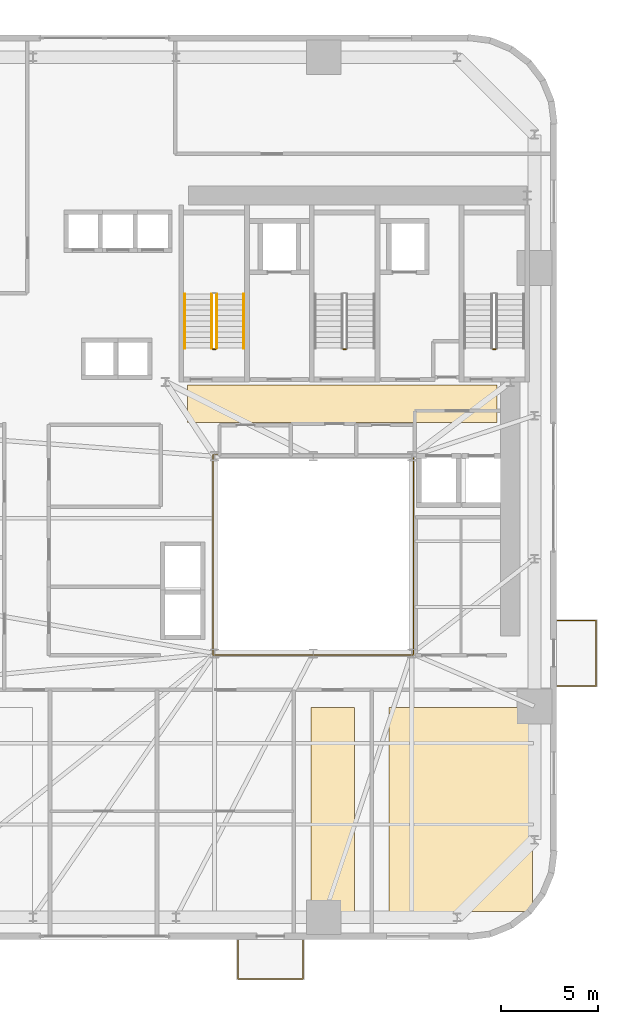
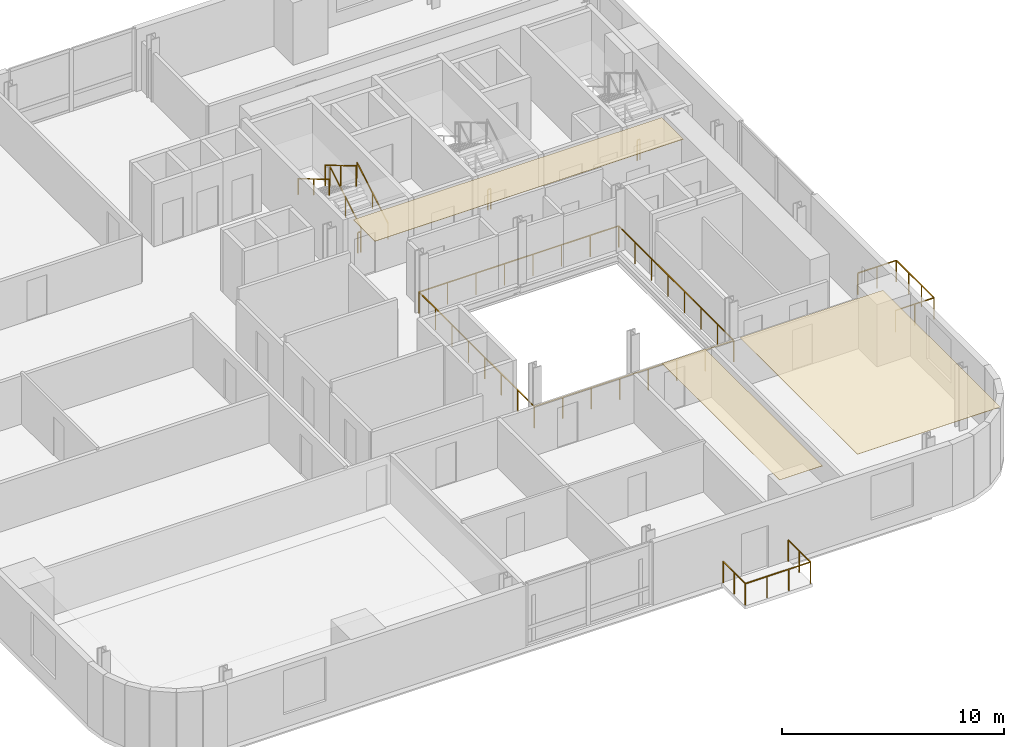
# One storey, part 11 of 13: 10 railings, 3 coverings.
"""IFC4 building model written with IfcOpenShell, lengths in metres."""

import ifcopenshell
import ifcopenshell.guid

model = None  # the IFC model being written
_history = None  # IfcOwnerHistory: only IFC2X3 demands one
_inside = {}  # id of a spatial element -> (the spatial element, [elements in it])
_under = {}  # id of a project, library or spatial element -> (it, [spatial elements below it])
_declared = {}  # id of a project -> (the project, [libraries it declares])
_typed = {}  # id of a type object -> (the type object, [elements of that type])
_made_of = {}  # id of a material, layer set ... -> (it, [elements and type objects made of it])


def new_model(schema):
    """Start an empty IFC model of exactly this schema.

    Asked for "IFC4X3", IfcOpenShell would pick the latest addendum, in which some entities
    have other attributes; the version numbers below select the first issue.
    IFC2X3 requires an IfcOwnerHistory on every rooted entity: one is made here for all.
    """
    global model, _history
    if schema == "IFC4X3":
        model = ifcopenshell.file(schema_version=(4, 3, 0, 0))
    else:
        model = ifcopenshell.file(schema=schema)
    _inside.clear()
    _under.clear()
    _declared.clear()
    _typed.clear()
    _made_of.clear()
    _history = None
    if model.schema == "IFC2X3":
        org = make("IfcOrganization", Name="unknown")
        user = make(
            "IfcPersonAndOrganization",
            ThePerson=make("IfcPerson", FamilyName="unknown"),
            TheOrganization=org,
        )
        app = make(
            "IfcApplication",
            ApplicationDeveloper=org,
            Version="unknown",
            ApplicationFullName="unknown",
            ApplicationIdentifier="unknown",
        )
        _history = make(
            "IfcOwnerHistory",
            OwningUser=user,
            OwningApplication=app,
            ChangeAction="ADDED",
            CreationDate=0,
        )
    return model


def make(cls, **values):
    """One entity of the class cls with the attributes given. An attribute that is None is left unset."""
    return model.create_entity(
        cls, **{name: value for name, value in values.items() if value is not None}
    )


def rooted(cls, **values):
    """An entity with a GlobalId (a new one), such as an element, a storey or a relation."""
    return make(cls, GlobalId=ifcopenshell.guid.new(), OwnerHistory=_history, **values)


def si_unit(unit_type, name, prefix=None):
    """IfcSIUnit, for example si_unit("LENGTHUNIT", "METRE", prefix="MILLI")."""
    return make("IfcSIUnit", UnitType=unit_type, Prefix=prefix, Name=name)


def assignment(units):
    """IfcUnitAssignment: the units of a project."""
    return None if units is None else make("IfcUnitAssignment", Units=units)


def point(xyz):
    """IfcCartesianPoint."""
    return None if xyz is None else make("IfcCartesianPoint", Coordinates=xyz)


def direction(xyz):
    """IfcDirection."""
    return None if xyz is None else make("IfcDirection", DirectionRatios=xyz)


def frame(location, z_axis=None, x_axis=None):
    """IfcAxis2Placement3D, a coordinate frame: its origin and axes. An axis left out is left unset."""
    return make(
        "IfcAxis2Placement3D",
        Location=point(location),
        Axis=direction(z_axis),
        RefDirection=direction(x_axis),
    )


def frame_2d(location, x_axis=None):
    """IfcAxis2Placement2D, a coordinate frame in the plane: its origin and x axis."""
    return make(
        "IfcAxis2Placement2D", Location=point(location), RefDirection=direction(x_axis)
    )


def origin():
    """The frame at (0, 0, 0) with its axes left unset."""
    return frame((0.0, 0.0, 0.0))


def origin_2d():
    """The frame at (0, 0) in the plane with its x axis left unset."""
    return frame_2d((0.0, 0.0))


def place(relative_to, where):
    """IfcLocalPlacement: puts the frame where relative to a parent placement (None: the world)."""
    return make(
        "IfcLocalPlacement", PlacementRelTo=relative_to, RelativePlacement=where
    )


def context(
    kind, dimensions, precision=None, world=None, true_north=None, identifier=None
):
    """IfcGeometricRepresentationContext, for example the 3D "Model" context."""
    return make(
        "IfcGeometricRepresentationContext",
        ContextIdentifier=identifier,
        ContextType=kind,
        CoordinateSpaceDimension=dimensions,
        Precision=precision,
        WorldCoordinateSystem=world,
        TrueNorth=true_north,
    )


def subcontext(parent, identifier, kind, view, scale=None):
    """IfcGeometricRepresentationSubContext, for example "Body" below "Model"."""
    return make(
        "IfcGeometricRepresentationSubContext",
        ContextIdentifier=identifier,
        ContextType=kind,
        ParentContext=parent,
        TargetScale=scale,
        TargetView=view,
    )


def project(units=None, contexts=None):
    """IfcProject with its units and contexts."""
    return rooted(
        "IfcProject",
        Name="project",
        RepresentationContexts=contexts,
        UnitsInContext=assignment(units),
    )


def spatial(cls, under=None, at=None, **own):
    """A site, building, storey or space (cls), placed at a placement, below another one or the project."""
    s = rooted(cls, ObjectPlacement=at, **own)
    if under is not None:
        _under.setdefault(under.id(), (under, []))[1].append(s)
    return s


def polyline(points):
    """IfcPolyline through the points."""
    return make("IfcPolyline", Points=[point(p) for p in points])


def profile(cls, at=None, kind="AREA", **sizes):
    """A parametric profile (cls). Its sizes go by their IFC names, for example OverallWidth=200.0."""
    return make(cls, ProfileType=kind, Position=at, **sizes)


def rectangle(**sizes):
    """IfcRectangleProfileDef."""
    return profile("IfcRectangleProfileDef", **sizes)


def outline(outer, holes=None, kind="AREA"):
    """IfcArbitraryClosedProfileDef: a profile drawn as a closed curve; with holes, ...WithVoids."""
    if holes is None:
        return make("IfcArbitraryClosedProfileDef", ProfileType=kind, OuterCurve=outer)
    return make(
        "IfcArbitraryProfileDefWithVoids",
        ProfileType=kind,
        OuterCurve=outer,
        InnerCurves=holes,
    )


def extrude(swept, where, along, depth):
    """IfcExtrudedAreaSolid: the profile swept, set in the frame where, extruded along a direction by depth."""
    return make(
        "IfcExtrudedAreaSolid",
        SweptArea=swept,
        Position=where,
        ExtrudedDirection=direction(along),
        Depth=depth,
    )


def shape(context_of_items, identifier, shape_type, items):
    """IfcShapeRepresentation: the items that make up one representation, for example the "Body"."""
    return make(
        "IfcShapeRepresentation",
        ContextOfItems=context_of_items,
        RepresentationIdentifier=identifier,
        RepresentationType=shape_type,
        Items=items,
    )


def source(mapping_origin, context_of_items, identifier, shape_type, items):
    """IfcRepresentationMap: a shape defined once, which mapped items show again and again."""
    return make(
        "IfcRepresentationMap",
        MappingOrigin=mapping_origin,
        MappedRepresentation=shape(context_of_items, identifier, shape_type, items),
    )


def transform(
    local_origin,
    x_axis=None,
    y_axis=None,
    z_axis=None,
    scale=None,
    scale2=None,
    scale3=None,
    uniform=True,
):
    """IfcCartesianTransformationOperator3D, or its non-uniform kind. x_axis, y_axis, z_axis: its Axis1, 2, 3."""
    if uniform:
        return make(
            "IfcCartesianTransformationOperator3D",
            Axis1=direction(x_axis),
            Axis2=direction(y_axis),
            LocalOrigin=point(local_origin),
            Scale=scale,
            Axis3=direction(z_axis),
        )
    return make(
        "IfcCartesianTransformationOperator3DnonUniform",
        Axis1=direction(x_axis),
        Axis2=direction(y_axis),
        LocalOrigin=point(local_origin),
        Scale=scale,
        Axis3=direction(z_axis),
        Scale2=scale2,
        Scale3=scale3,
    )


def mapped(mapping_source, mapping_target):
    """IfcMappedItem: shows the shape of a source again, moved by a transform."""
    return make(
        "IfcMappedItem", MappingSource=mapping_source, MappingTarget=mapping_target
    )


def material(Name=None, Category=None):
    """IfcMaterial."""
    return make("IfcMaterial", Name=Name, Category=Category)


def layer(
    of_material, thickness, ventilated=None, Name=None, Category=None, Priority=None
):
    """IfcMaterialLayer: one layer of a wall or slab, of a material (None: an air gap)."""
    return make(
        "IfcMaterialLayer",
        Material=of_material,
        LayerThickness=thickness,
        IsVentilated=ventilated,
        Name=Name,
        Category=Category,
        Priority=Priority,
    )


def layer_set(layers, Name=None):
    """IfcMaterialLayerSet."""
    return make("IfcMaterialLayerSet", MaterialLayers=layers, LayerSetName=Name)


def made_of(thing, what):
    """Note that an element or type object is made of a material, layer set ...; save() writes the relation."""
    if what is not None:
        _made_of.setdefault(what.id(), (what, []))[1].append(thing)
    return thing


def type_object(cls, material=None, **own):
    """A type object (cls), such as IfcWallType, which elements share."""
    return made_of(rooted(cls, **own), material)


def element(
    cls,
    number,
    at=None,
    inside=None,
    cuts=None,
    type_object=None,
    material=None,
    context=None,
    identifier="Body",
    shape_type=None,
    held_by="IfcProductDefinitionShape",
    body=None,
    shapes=None,
    **own,
):
    """One element of the class cls, such as IfcWall. Its Tag is "e" and its number.

    at: its placement. inside: the storey or other place that contains it. cuts: it is an
    opening in that element (IfcRelVoidsElement). A single representation is given by context,
    identifier, shape_type and body (its items); several are given by shapes. held_by: the class
    of the entity that holds the representations. save() writes the other relations.
    """
    e = rooted(cls, Tag="e%d" % number, ObjectPlacement=at, **own)
    if body is not None:
        shapes = [shape(context, identifier, shape_type, body)]
    if shapes is not None:
        e.Representation = make(held_by, Representations=shapes)
    if inside is not None:
        _inside.setdefault(inside.id(), (inside, []))[1].append(e)
    if cuts is not None:
        rooted(
            "IfcRelVoidsElement", RelatingBuildingElement=cuts, RelatedOpeningElement=e
        )
    if type_object is not None:
        _typed.setdefault(type_object.id(), (type_object, []))[1].append(e)
    return made_of(e, material)


def aggregate(whole, parts):
    """IfcRelAggregates: a whole, such as a stair, and the parts it consists of."""
    return rooted("IfcRelAggregates", RelatingObject=whole, RelatedObjects=parts)


def save(model, path):
    """Write the relations noted so far, then the file.

    IfcRelAggregates (storeys below a building ...), IfcRelContainedInSpatialStructure (elements
    in a storey), IfcRelDefinesByType, IfcRelAssociatesMaterial and IfcRelDeclares: one each for
    every whole, place, type object, material and project.
    """
    for whole, parts in _under.values():
        aggregate(whole, parts)
    for where, things in _inside.values():
        rooted(
            "IfcRelContainedInSpatialStructure",
            RelatedElements=things,
            RelatingStructure=where,
        )
    for kind, things in _typed.values():
        rooted("IfcRelDefinesByType", RelatedObjects=things, RelatingType=kind)
    for what, things in _made_of.values():
        rooted("IfcRelAssociatesMaterial", RelatedObjects=things, RelatingMaterial=what)
    for by, libraries in _declared.values():
        rooted("IfcRelDeclares", RelatingContext=by, RelatedDefinitions=libraries)
    model.write(path)


model = new_model("IFC4")

# Units and contexts
model_context = context("Model", 3, precision=1e-05, world=origin(), true_north=direction((0.0, 1.0)))
body_context = subcontext(model_context, "Body", "Model", "MODEL_VIEW")
ifc_project = project(units=[si_unit("LENGTHUNIT", "METRE"), si_unit("AREAUNIT", "SQUARE_METRE"), si_unit("VOLUMEUNIT", "CUBIC_METRE"), si_unit("PLANEANGLEUNIT", "RADIAN"), si_unit("MASSUNIT", "GRAM", prefix="KILO")], contexts=[model_context])

# Site, building, storey
site_placement = place(None, origin())
site = spatial("IfcSite", under=ifc_project, at=site_placement, CompositionType="ELEMENT")
building_placement = place(site_placement, origin())
building = spatial("IfcBuilding", under=site, at=building_placement, Name="Vardaveli Station Tower", CompositionType="ELEMENT")
storey_placement = place(building_placement, frame((0.0, 0.0, 67.75)))
storey = spatial("IfcBuildingStorey", under=building, at=storey_placement, Name="L17", CompositionType="ELEMENT", Elevation=67.75)

# Coverings
ifc_material_1 = material(Name="Perforated acoustic mineral ceiling")
ifc_layer = layer(ifc_material_1, 0.02001953125, Name="Perforated acoustic mineral ceiling")
ifc_layer_set = layer_set([ifc_layer], Name="Perforated acoustic mineral ceiling")
covering_type = type_object("IfcCoveringType", Name="COV-CEIL-AC20", PredefinedType="CEILING", material=ifc_layer_set)
covering_1_placement = place(storey_placement, frame((0.0, 0.0, 3.39501953125)))
element("IfcCovering", 1, at=covering_1_placement, inside=storey, type_object=covering_type, Name="CEIL-L17-2", PredefinedType="CEILING", context=body_context, shape_type="SweptSolid", body=[
    extrude(outline(polyline([(36.189697265625, 3.25), (38.429931640625, 3.25), (38.429931640625, 13.81005859375), (36.189697265625, 13.81005859375), (36.189697265625, 3.25)])), origin(), (0.0, 0.0, 1.0), 0.02001953125),
])
covering_2_placement = place(storey_placement, frame((0.0, 0.0, 3.39501953125)))
element("IfcCovering", 2, at=covering_2_placement, inside=storey, type_object=covering_type, Name="CEIL-L17-3", PredefinedType="CEILING", context=body_context, shape_type="SweptSolid", body=[
    extrude(outline(polyline([(40.22998046875, 3.25), (47.64990234375, 3.25), (47.64990234375, 13.81005859375), (40.22998046875, 13.81005859375), (40.22998046875, 3.25)])), origin(), (0.0, 0.0, 1.0), 0.02001953125),
])
covering_3_placement = place(storey_placement, frame((0.0, 0.0, 3.39501953125)))
element("IfcCovering", 3, at=covering_3_placement, inside=storey, type_object=covering_type, Name="CEIL-L17-4", PredefinedType="CEILING", context=body_context, shape_type="SweptSolid", body=[
    extrude(outline(polyline([(29.800048828125, 28.550048828125), (45.800048828125, 28.550048828125), (45.800048828125, 30.5), (29.800048828125, 30.5), (29.800048828125, 28.550048828125)])), origin(), (0.0, 0.0, 1.0), 0.02001953125),
])

# Railings
ifc_material_2 = material(Name="Laminated glass and stainless steel balustrade", Category="steel")
railing_type_1 = type_object("IfcRailingType", Name="RL-BAL-1200", PredefinedType="BALUSTRADE", material=ifc_material_2)
shared_shape_1 = source(origin(), body_context, "Body", "SweptSolid", [
    extrude(rectangle(XDim=0.048095703125, YDim=0.048095703125, at=origin_2d()), frame((0.0, 0.0, 1.17578125), z_axis=(0.0, -1.0, 0.0), x_axis=(1.0, 0.0, 0.0)), (0.0, 0.0, 1.0), 2.0),
    extrude(rectangle(XDim=0.048095703125, YDim=0.048095703125, at=origin_2d()), frame((0.0, -2.0, 1.17578125), z_axis=(1.0, 0.0, 0.0), x_axis=(0.0, 1.0, 0.0)), (0.0, 0.0, 1.0), 3.3798828125),
    extrude(rectangle(XDim=0.048095703125, YDim=0.048095703125, at=origin_2d()), frame((3.3798828125, -2.0, 1.17578125), z_axis=(0.0, 1.0, 0.0), x_axis=(-1.0, 0.0, 0.0)), (0.0, 0.0, 1.0), 2.0),
    extrude(rectangle(XDim=0.0419921875, YDim=0.0419921875, at=origin_2d()), origin(), (0.0, 0.0, 1.0), 1.15185546875),
    extrude(rectangle(XDim=0.0419921875, YDim=0.0419921875, at=origin_2d()), frame((0.0, -1.0, 0.0)), (0.0, 0.0, 1.0), 1.15185546875),
    extrude(rectangle(XDim=0.0419921875, YDim=0.0419921875, at=origin_2d()), frame((0.0, -2.0, 0.0)), (0.0, 0.0, 1.0), 1.15185546875),
    extrude(rectangle(XDim=0.0419921875, YDim=0.0419921875, at=origin_2d()), frame((1.126708984375, -2.0, 0.0)), (0.0, 0.0, 1.0), 1.15185546875),
    extrude(rectangle(XDim=0.0419921875, YDim=0.0419921875, at=origin_2d()), frame((2.253173828125, -2.0, 0.0)), (0.0, 0.0, 1.0), 1.15185546875),
    extrude(rectangle(XDim=0.0419921875, YDim=0.0419921875, at=origin_2d()), frame((3.3798828125, -2.0, 0.0)), (0.0, 0.0, 1.0), 1.15185546875),
    extrude(rectangle(XDim=0.0419921875, YDim=0.0419921875, at=origin_2d()), frame((3.3798828125, -1.0, 0.0)), (0.0, 0.0, 1.0), 1.15185546875),
    extrude(rectangle(XDim=0.0419921875, YDim=0.0419921875, at=origin_2d()), frame((3.3798828125, 0.0, 0.0)), (0.0, 0.0, 1.0), 1.15185546875),
])
railing_1_placement = place(storey_placement, frame((32.399658203125, 1.760009765625, 0.0)))
element("IfcRailing", 4, at=railing_1_placement, inside=storey, type_object=railing_type_1, Name="RL-LOG-L17-01", PredefinedType="BALUSTRADE", context=body_context, shape_type="MappedRepresentation", body=[
    mapped(shared_shape_1, transform((0.0, 0.0, 0.0), scale=1.0)),
])
shared_shape_2 = source(origin(), body_context, "Body", "SweptSolid", [
    extrude(rectangle(XDim=0.048095703125, YDim=0.048095703125, at=origin_2d()), frame((0.0, 0.0, 1.17578125), z_axis=(1.0, 0.0, 0.0), x_axis=(0.0, 1.0, 0.0)), (0.0, 0.0, 1.0), 2.0),
    extrude(rectangle(XDim=0.048095703125, YDim=0.048095703125, at=origin_2d()), frame((2.0, 0.0, 1.17578125), z_axis=(0.0, 1.0, 0.0), x_axis=(-1.0, 0.0, 0.0)), (0.0, 0.0, 1.0), 3.3798828125),
    extrude(rectangle(XDim=0.048095703125, YDim=0.048095703125, at=origin_2d()), frame((2.0, 3.3798828125, 1.17578125), z_axis=(-1.0, 0.0, 0.0), x_axis=(0.0, -1.0, 0.0)), (0.0, 0.0, 1.0), 2.0),
    extrude(rectangle(XDim=0.0419921875, YDim=0.0419921875, at=origin_2d()), origin(), (0.0, 0.0, 1.0), 1.15185546875),
    extrude(rectangle(XDim=0.0419921875, YDim=0.0419921875, at=origin_2d()), frame((1.0, 0.0, 0.0)), (0.0, 0.0, 1.0), 1.15185546875),
    extrude(rectangle(XDim=0.0419921875, YDim=0.0419921875, at=origin_2d()), frame((2.0, 0.0, 0.0)), (0.0, 0.0, 1.0), 1.15185546875),
    extrude(rectangle(XDim=0.0419921875, YDim=0.0419921875, at=origin_2d()), frame((2.0, 1.126708984375, 0.0)), (0.0, 0.0, 1.0), 1.15185546875),
    extrude(rectangle(XDim=0.0419921875, YDim=0.0419921875, at=origin_2d()), frame((2.0, 2.253173828125, 0.0)), (0.0, 0.0, 1.0), 1.15185546875),
    extrude(rectangle(XDim=0.0419921875, YDim=0.0419921875, at=origin_2d()), frame((2.0, 3.3798828125, 0.0)), (0.0, 0.0, 1.0), 1.15185546875),
    extrude(rectangle(XDim=0.0419921875, YDim=0.0419921875, at=origin_2d()), frame((1.0, 3.3798828125, 0.0)), (0.0, 0.0, 1.0), 1.15185546875),
    extrude(rectangle(XDim=0.0419921875, YDim=0.0419921875, at=origin_2d()), frame((0.0, 3.3798828125, 0.0)), (0.0, 0.0, 1.0), 1.15185546875),
])
railing_2_placement = place(storey_placement, frame((48.93994140625, 14.92041015625, 0.0)))
element("IfcRailing", 5, at=railing_2_placement, inside=storey, type_object=railing_type_1, Name="RL-LOG-L17-04", PredefinedType="BALUSTRADE", context=body_context, shape_type="MappedRepresentation", body=[
    mapped(shared_shape_2, transform((0.0, 0.0, 0.0), scale=1.0)),
])
ifc_material_3 = material(Name="Brushed AISI 316 stainless steel", Category="steel")
railing_type_2 = type_object("IfcRailingType", Name="RL-GUARD-1150", PredefinedType="GUARDRAIL", material=ifc_material_3)
shared_shape_3 = source(origin(), body_context, "Body", "SweptSolid", [
    extrude(rectangle(XDim=0.048095703125, YDim=0.048095703125, at=origin_2d()), frame((0.0, 0.0, 1.1259765625), z_axis=(-1.0, 0.0, 0.0), x_axis=(0.0, -1.0, 0.0)), (0.0, 0.0, 1.0), 0.14990234375),
    extrude(rectangle(XDim=0.0419921875, YDim=0.0419921875, at=origin_2d()), origin(), (0.0, 0.0, 1.0), 1.101806640625),
    extrude(rectangle(XDim=0.0419921875, YDim=0.0419921875, at=origin_2d()), frame((-0.14990234375, 0.0, 0.0)), (0.0, 0.0, 1.0), 1.101806640625),
])
for number, where, name in (
    (6, (31.25, 32.35009765625, 0.0), "L17 ST-1 stair guard 4"),
    (7, (38.0, 32.35009765625, 0.0), "L17 ST-2 stair guard 4"),
    (8, (45.75, 32.35009765625, 0.0), "L17 ST-3 stair guard 4"),
):
    element("IfcRailing", number, at=place(storey_placement, frame(where)), inside=storey, type_object=railing_type_2, Name=name, PredefinedType="GUARDRAIL", context=body_context, shape_type="MappedRepresentation", body=[
        mapped(shared_shape_3, transform((0.0, 0.0, 0.0), scale=1.0)),
    ])
shared_shape_4 = source(origin(), body_context, "Body", "SweptSolid", [
    extrude(rectangle(XDim=0.048095703125, YDim=0.048095703125, at=origin_2d()), frame((0.0, 0.0, 1.1259765625), z_axis=(0.0, 0.860339051648, 0.50972219513), x_axis=(-1.0, 0.0, 0.0)), (0.0, 0.0, 1.0), 3.254638671875),
    extrude(rectangle(XDim=0.0419921875, YDim=0.0419921875, at=origin_2d()), origin(), (0.0, 0.0, 1.0), 1.101806640625),
    extrude(rectangle(XDim=0.0419921875, YDim=0.0419921875, at=origin_2d()), frame((0.0, 1.39990234375, 0.82958984375)), (0.0, 0.0, 1.0), 1.101806640625),
    extrude(rectangle(XDim=0.0419921875, YDim=0.0419921875, at=origin_2d()), frame((0.0, 2.800048828125, 1.658935546875)), (0.0, 0.0, 1.0), 1.101806640625),
])
railing_3_placement = place(storey_placement, frame((31.300048828125, 32.39990234375, 0.166015625)))
element("IfcRailing", 9, at=railing_3_placement, inside=storey, type_object=railing_type_2, Name="L17 ST-1 stair guard 1", PredefinedType="GUARDRAIL", context=body_context, shape_type="MappedRepresentation", body=[
    mapped(shared_shape_4, transform((0.0, 0.0, 0.0), scale=1.0)),
])
shared_shape_5 = source(origin(), body_context, "Body", "SweptSolid", [
    extrude(rectangle(XDim=0.048095703125, YDim=0.048095703125, at=origin_2d()), frame((0.0, 0.0, 1.1259765625), z_axis=(0.0, -0.860339051648, 0.50972219513), x_axis=(1.0, 0.0, 0.0)), (0.0, 0.0, 1.0), 3.254638671875),
    extrude(rectangle(XDim=0.0419921875, YDim=0.0419921875, at=origin_2d()), origin(), (0.0, 0.0, 1.0), 1.101806640625),
    extrude(rectangle(XDim=0.0419921875, YDim=0.0419921875, at=origin_2d()), frame((0.0, -1.39990234375, 0.82958984375)), (0.0, 0.0, 1.0), 1.101806640625),
    extrude(rectangle(XDim=0.0419921875, YDim=0.0419921875, at=origin_2d()), frame((0.0, -2.800048828125, 1.658935546875)), (0.0, 0.0, 1.0), 1.101806640625),
])
railing_4_placement = place(storey_placement, frame((31.050048828125, 35.199951171875, 1.990966796875)))
element("IfcRailing", 10, at=railing_4_placement, inside=storey, type_object=railing_type_2, Name="L17 ST-1 stair guard 3", PredefinedType="GUARDRAIL", context=body_context, shape_type="MappedRepresentation", body=[
    mapped(shared_shape_5, transform((0.0, 0.0, 0.0), scale=1.0)),
])
railing_type_3 = type_object("IfcRailingType", Name="RL-HAND-900", PredefinedType="HANDRAIL", material=ifc_material_3)
shared_shape_6 = source(origin(), body_context, "Body", "SweptSolid", [
    extrude(rectangle(XDim=0.048095703125, YDim=0.048095703125, at=origin_2d()), frame((0.0, 0.0, 0.8759765625), z_axis=(0.0, 0.860339051648, 0.50972219513), x_axis=(-1.0, 0.0, 0.0)), (0.0, 0.0, 1.0), 3.254638671875),
    extrude(rectangle(XDim=0.0419921875, YDim=0.0419921875, at=origin_2d()), origin(), (0.0, 0.0, 1.0), 0.851806640625),
    extrude(rectangle(XDim=0.0419921875, YDim=0.0419921875, at=origin_2d()), frame((0.0, 1.39990234375, 0.82958984375)), (0.0, 0.0, 1.0), 0.851806640625),
    extrude(rectangle(XDim=0.0419921875, YDim=0.0419921875, at=origin_2d()), frame((0.0, 2.800048828125, 1.658935546875)), (0.0, 0.0, 1.0), 0.851806640625),
])
railing_5_placement = place(storey_placement, frame((32.699951171875, 32.39990234375, 0.166015625)))
element("IfcRailing", 11, at=railing_5_placement, inside=storey, type_object=railing_type_3, Name="L17 ST-1 stair handrail 1", PredefinedType="HANDRAIL", context=body_context, shape_type="MappedRepresentation", body=[
    mapped(shared_shape_6, transform((0.0, 0.0, 0.0), scale=1.0)),
])
shared_shape_7 = source(origin(), body_context, "Body", "SweptSolid", [
    extrude(rectangle(XDim=0.048095703125, YDim=0.048095703125, at=origin_2d()), frame((0.0, 0.0, 0.8759765625), z_axis=(0.0, -0.860339051648, 0.50972219513), x_axis=(1.0, 0.0, 0.0)), (0.0, 0.0, 1.0), 3.254638671875),
    extrude(rectangle(XDim=0.0419921875, YDim=0.0419921875, at=origin_2d()), origin(), (0.0, 0.0, 1.0), 0.851806640625),
    extrude(rectangle(XDim=0.0419921875, YDim=0.0419921875, at=origin_2d()), frame((0.0, -1.39990234375, 0.82958984375)), (0.0, 0.0, 1.0), 0.851806640625),
    extrude(rectangle(XDim=0.0419921875, YDim=0.0419921875, at=origin_2d()), frame((0.0, -2.800048828125, 1.658935546875)), (0.0, 0.0, 1.0), 0.851806640625),
])
railing_6_placement = place(storey_placement, frame((29.64990234375, 35.199951171875, 1.990966796875)))
element("IfcRailing", 12, at=railing_6_placement, inside=storey, type_object=railing_type_3, Name="L17 ST-1 stair handrail 2", PredefinedType="HANDRAIL", context=body_context, shape_type="MappedRepresentation", body=[
    mapped(shared_shape_7, transform((0.0, 0.0, 0.0), scale=1.0)),
])
shared_shape_8 = source(origin(), body_context, "Body", "SweptSolid", [
    extrude(rectangle(XDim=0.048095703125, YDim=0.048095703125, at=origin_2d()), frame((0.0, 0.0, 1.17578125), z_axis=(1.0, 0.0, 0.0), x_axis=(0.0, 1.0, 0.0)), (0.0, 0.0, 1.0), 10.35986328125),
    extrude(rectangle(XDim=0.048095703125, YDim=0.048095703125, at=origin_2d()), frame((10.35986328125, 0.0, 1.17578125), z_axis=(0.0, 1.0, 0.0), x_axis=(-1.0, 0.0, 0.0)), (0.0, 0.0, 1.0), 10.35986328125),
    extrude(rectangle(XDim=0.048095703125, YDim=0.048095703125, at=origin_2d()), frame((10.35986328125, 10.35986328125, 1.17578125), z_axis=(-1.0, 0.0, 0.0), x_axis=(0.0, -1.0, 0.0)), (0.0, 0.0, 1.0), 10.35986328125),
    extrude(rectangle(XDim=0.048095703125, YDim=0.048095703125, at=origin_2d()), frame((0.0, 10.35986328125, 1.17578125), z_axis=(0.0, -1.0, 0.0), x_axis=(1.0, 0.0, 0.0)), (0.0, 0.0, 1.0), 10.35986328125),
    extrude(rectangle(XDim=0.0419921875, YDim=0.0419921875, at=origin_2d()), origin(), (0.0, 0.0, 1.0), 1.15185546875),
    extrude(rectangle(XDim=0.0419921875, YDim=0.0419921875, at=origin_2d()), frame((1.47998046875, 0.0, 0.0)), (0.0, 0.0, 1.0), 1.15185546875),
    extrude(rectangle(XDim=0.0419921875, YDim=0.0419921875, at=origin_2d()), frame((2.9599609375, 0.0, 0.0)), (0.0, 0.0, 1.0), 1.15185546875),
    extrude(rectangle(XDim=0.0419921875, YDim=0.0419921875, at=origin_2d()), frame((4.43994140625, 0.0, 0.0)), (0.0, 0.0, 1.0), 1.15185546875),
    extrude(rectangle(XDim=0.0419921875, YDim=0.0419921875, at=origin_2d()), frame((5.919921875, 0.0, 0.0)), (0.0, 0.0, 1.0), 1.15185546875),
    extrude(rectangle(XDim=0.0419921875, YDim=0.0419921875, at=origin_2d()), frame((7.39990234375, 0.0, 0.0)), (0.0, 0.0, 1.0), 1.15185546875),
    extrude(rectangle(XDim=0.0419921875, YDim=0.0419921875, at=origin_2d()), frame((8.8798828125, 0.0, 0.0)), (0.0, 0.0, 1.0), 1.15185546875),
    extrude(rectangle(XDim=0.0419921875, YDim=0.0419921875, at=origin_2d()), frame((10.35986328125, 0.0, 0.0)), (0.0, 0.0, 1.0), 1.15185546875),
    extrude(rectangle(XDim=0.0419921875, YDim=0.0419921875, at=origin_2d()), frame((10.35986328125, 1.47998046875, 0.0)), (0.0, 0.0, 1.0), 1.15185546875),
    extrude(rectangle(XDim=0.0419921875, YDim=0.0419921875, at=origin_2d()), frame((10.35986328125, 2.9599609375, 0.0)), (0.0, 0.0, 1.0), 1.15185546875),
    extrude(rectangle(XDim=0.0419921875, YDim=0.0419921875, at=origin_2d()), frame((10.35986328125, 4.43994140625, 0.0)), (0.0, 0.0, 1.0), 1.15185546875),
    extrude(rectangle(XDim=0.0419921875, YDim=0.0419921875, at=origin_2d()), frame((10.35986328125, 5.919921875, 0.0)), (0.0, 0.0, 1.0), 1.15185546875),
    extrude(rectangle(XDim=0.0419921875, YDim=0.0419921875, at=origin_2d()), frame((10.35986328125, 7.39990234375, 0.0)), (0.0, 0.0, 1.0), 1.15185546875),
    extrude(rectangle(XDim=0.0419921875, YDim=0.0419921875, at=origin_2d()), frame((10.35986328125, 8.8798828125, 0.0)), (0.0, 0.0, 1.0), 1.15185546875),
    extrude(rectangle(XDim=0.0419921875, YDim=0.0419921875, at=origin_2d()), frame((10.35986328125, 10.35986328125, 0.0)), (0.0, 0.0, 1.0), 1.15185546875),
    extrude(rectangle(XDim=0.0419921875, YDim=0.0419921875, at=origin_2d()), frame((8.8798828125, 10.35986328125, 0.0)), (0.0, 0.0, 1.0), 1.15185546875),
    extrude(rectangle(XDim=0.0419921875, YDim=0.0419921875, at=origin_2d()), frame((7.39990234375, 10.35986328125, 0.0)), (0.0, 0.0, 1.0), 1.15185546875),
    extrude(rectangle(XDim=0.0419921875, YDim=0.0419921875, at=origin_2d()), frame((5.919921875, 10.35986328125, 0.0)), (0.0, 0.0, 1.0), 1.15185546875),
    extrude(rectangle(XDim=0.0419921875, YDim=0.0419921875, at=origin_2d()), frame((4.43994140625, 10.35986328125, 0.0)), (0.0, 0.0, 1.0), 1.15185546875),
    extrude(rectangle(XDim=0.0419921875, YDim=0.0419921875, at=origin_2d()), frame((2.9599609375, 10.35986328125, 0.0)), (0.0, 0.0, 1.0), 1.15185546875),
    extrude(rectangle(XDim=0.0419921875, YDim=0.0419921875, at=origin_2d()), frame((1.47998046875, 10.35986328125, 0.0)), (0.0, 0.0, 1.0), 1.15185546875),
    extrude(rectangle(XDim=0.0419921875, YDim=0.0419921875, at=origin_2d()), frame((0.0, 10.35986328125, 0.0)), (0.0, 0.0, 1.0), 1.15185546875),
    extrude(rectangle(XDim=0.0419921875, YDim=0.0419921875, at=origin_2d()), frame((0.0, 8.8798828125, 0.0)), (0.0, 0.0, 1.0), 1.15185546875),
    extrude(rectangle(XDim=0.0419921875, YDim=0.0419921875, at=origin_2d()), frame((0.0, 7.39990234375, 0.0)), (0.0, 0.0, 1.0), 1.15185546875),
    extrude(rectangle(XDim=0.0419921875, YDim=0.0419921875, at=origin_2d()), frame((0.0, 5.919921875, 0.0)), (0.0, 0.0, 1.0), 1.15185546875),
    extrude(rectangle(XDim=0.0419921875, YDim=0.0419921875, at=origin_2d()), frame((0.0, 4.43994140625, 0.0)), (0.0, 0.0, 1.0), 1.15185546875),
    extrude(rectangle(XDim=0.0419921875, YDim=0.0419921875, at=origin_2d()), frame((0.0, 2.9599609375, 0.0)), (0.0, 0.0, 1.0), 1.15185546875),
    extrude(rectangle(XDim=0.0419921875, YDim=0.0419921875, at=origin_2d()), frame((0.0, 1.47998046875, 0.0)), (0.0, 0.0, 1.0), 1.15185546875),
])
railing_7_placement = place(storey_placement, frame((31.1201171875, 16.52001953125, 0.0)))
element("IfcRailing", 13, at=railing_7_placement, inside=storey, type_object=railing_type_1, Name="RL-ATR-L17", PredefinedType="BALUSTRADE", context=body_context, shape_type="MappedRepresentation", body=[
    mapped(shared_shape_8, transform((0.0, 0.0, 0.0), scale=1.0)),
])

save(model, "model.ifc")
